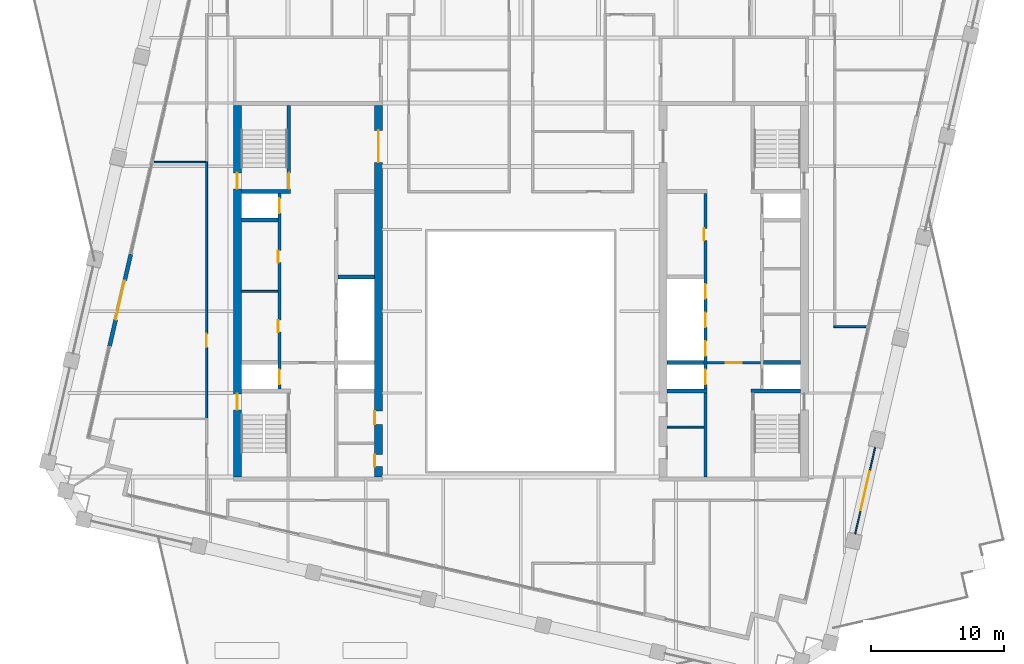
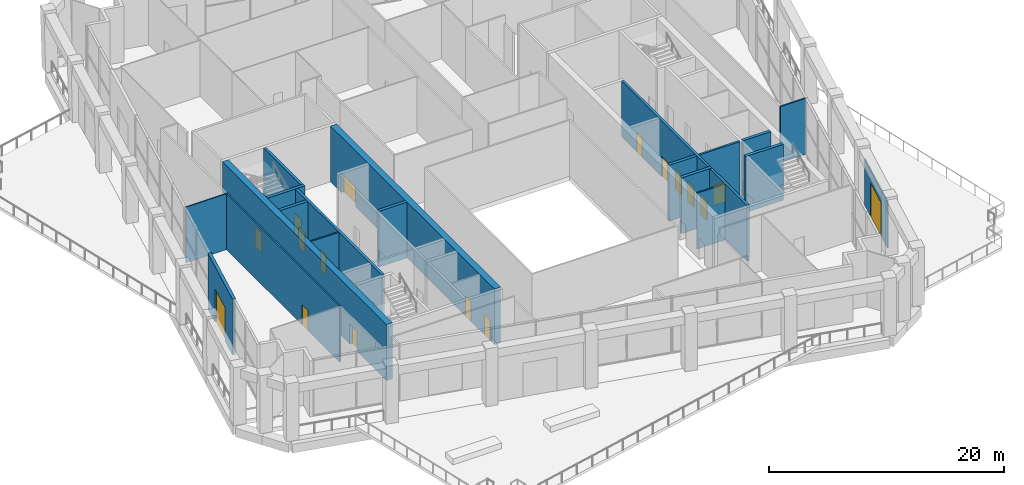
# One storey, part 13 of 21: 20 walls, 19 doors, 19 openings.
"""IFC4 building model written with IfcOpenShell, lengths in metres."""

from ifc_helpers import new_model, si_unit, direction, frame, frame_2d, origin, place, context, subcontext, project, spatial, rectangle, extrude, material, layer, layer_set, type_object, element, fill, save


model = new_model("IFC4")

# Units and contexts
model_context = context("Model", 3, precision=1e-05, world=origin(), true_north=direction((0.0, 1.0)))
body_context = subcontext(model_context, "Body", "Model", "MODEL_VIEW")
ifc_project = project(units=[si_unit("LENGTHUNIT", "METRE"), si_unit("AREAUNIT", "SQUARE_METRE"), si_unit("VOLUMEUNIT", "CUBIC_METRE"), si_unit("PLANEANGLEUNIT", "RADIAN"), si_unit("MASSUNIT", "GRAM", prefix="KILO")], contexts=[model_context])

# Site, building, storey
site_placement = place(None, origin())
site = spatial("IfcSite", under=ifc_project, at=site_placement, CompositionType="ELEMENT")
building_placement = place(site_placement, origin())
building = spatial("IfcBuilding", under=site, at=building_placement, Name="Ogive Exchange Tower", CompositionType="ELEMENT")
storey_placement = place(building_placement, frame((0.0, 0.0, 237.0)))
storey = spatial("IfcBuildingStorey", under=building, at=storey_placement, Name="L51", CompositionType="ELEMENT", Elevation=237.0)

# Walls
ifc_material_1 = material(Name="Gypsum board partition")
ifc_layer_1 = layer(ifc_material_1, 0.14990234375)
ifc_layer_set_1 = layer_set([ifc_layer_1], Name="Core room partition 150 gypsum")
wall_type_1 = type_object("IfcWallType", Name="Core room partition 150 gypsum", PredefinedType="PARTITIONING", material=ifc_layer_set_1)
for number, where, z_axis, x_axis, name in (
    (1, (-21.0, 11.5, 0.0), (0.0, 0.0, 1.0), (1.0, 0.0, 0.0), "W row A bay partition 1-1"),
    (2, (11.0, 1.300048828125, 0.0), (0.0, 0.0, 1.0), (1.0, 0.0, 0.0), "E south room partition"),
):
    element("IfcWall", number, at=place(storey_placement, frame(where, z_axis=z_axis, x_axis=x_axis)), inside=storey, type_object=wall_type_1, Name=name, PredefinedType="PARTITIONING", context=body_context, shape_type="SweptSolid", body=[
        extrude(rectangle(XDim=2.75, YDim=0.14990234375, at=frame_2d((1.375, 0.0))), origin(), (0.0, 0.0, 1.0), 5.800048828125),
    ])

# Wall, opening, door
ifc_material_2 = material(Name="Fire partition EI 60 150")
ifc_layer_2 = layer(ifc_material_2, 0.14990234375)
ifc_layer_set_2 = layer_set([ifc_layer_2], Name="Fire partition EI 60 150")
wall_type_2 = type_object("IfcWallType", Name="Fire partition EI 60 150", PredefinedType="PARTITIONING", material=ifc_layer_set_2)
wall_1_placement = place(storey_placement, frame((-23.60009765625, 1.929931640625, 0.0), z_axis=(0.0, 0.0, 1.0), x_axis=(0.0, 1.0, 0.0)))
wall_1 = element("IfcWall", 3, at=wall_1_placement, inside=storey, type_object=wall_type_2, Name="L51-PWL-004", PredefinedType="PARTITIONING", context=body_context, shape_type="SweptSolid", body=[
    extrude(rectangle(XDim=19.330078125, YDim=0.14990234375, at=frame_2d((9.6650390625, 0.0))), origin(), (0.0, 0.0, 1.0), 5.800048828125),
])
opening_1_placement = place(wall_1_placement, frame((5.3798828125, 0.0, 0.0)))
opening_1 = element("IfcOpeningElement", 4, at=opening_1_placement, cuts=wall_1, Name="Opening L51-I10", PredefinedType="OPENING", context=body_context, shape_type="SweptSolid", body=[
    extrude(rectangle(XDim=1.0, YDim=2.10009765625, at=frame_2d((0.5, 1.050048828125))), frame((0.0, 0.0849609375, 0.0), z_axis=(0.0, -1.0, 0.0), x_axis=(1.0, 0.0, 0.0)), (0.0, 0.0, 1.0), 0.169921875),
])
ifc_material_3 = material(Name="Fire door FD 30S 1000 x 2100")
door_type_1 = type_object("IfcDoorType", Name="Fire door FD 30S 1000 x 2100", OperationType="NOTDEFINED", PredefinedType="DOOR", material=ifc_material_3)
door_1_placement = place(opening_1_placement, origin())
door_1 = element("IfcDoor", 5, at=door_1_placement, inside=storey, type_object=door_type_1, Name="L51-IDR-010", ObjectType="DT3", OperationType="SINGLE_SWING_LEFT", OverallHeight=2.10009765625, OverallWidth=1.0, PredefinedType="DOOR", context=body_context, shape_type="SweptSolid", body=[
    extrude(rectangle(XDim=1.0, YDim=2.10009765625, at=frame_2d((0.5, 1.050048828125))), frame((0.0, 0.02490234375, 0.0), z_axis=(0.0, -1.0, 0.0), x_axis=(1.0, 0.0, 0.0)), (0.0, 0.0, 1.0), 0.050048828125),
])
fill(opening_1, door_1)

# Wall
wall_2_placement = place(storey_placement, frame((23.52490234375, 8.860107421875, 0.0), z_axis=(0.0, 0.0, 1.0), x_axis=(1.0, 0.0, 0.0)))
element("IfcWall", 6, at=wall_2_placement, inside=storey, type_object=wall_type_2, Name="L51-PWL-066", PredefinedType="PARTITIONING", context=body_context, shape_type="SweptSolid", body=[
    extrude(rectangle(XDim=2.504150390625, YDim=0.14990234375, at=frame_2d((1.251953125, 0.0))), origin(), (0.0, 0.0, 1.0), 5.800048828125),
])

# Wall, opening, door
ifc_material_4 = material(Name="Precast concrete C40/50", Category="concrete")
ifc_layer_3 = layer(ifc_material_4, 0.300048828125)
ifc_layer_set_3 = layer_set([ifc_layer_3], Name="Limestone-faced wall 300")
wall_type_3 = type_object("IfcWallType", Name="Limestone-faced wall 300", PredefinedType="STANDARD", material=ifc_layer_set_3)
wall_3_placement = place(storey_placement, frame((-29.293212890625, 14.310791015625, 0.0), z_axis=(0.0, 0.0, 1.0), x_axis=(-0.224949733175, -0.9743703698, 0.0)))
wall_3 = element("IfcWall", 7, at=wall_3_placement, inside=storey, type_object=wall_type_3, Name="External wall W7", PredefinedType="STANDARD", context=body_context, shape_type="SweptSolid", body=[
    extrude(rectangle(XDim=7.1142578125, YDim=0.300048828125, at=frame_2d((3.55712890625, 0.0))), origin(), (0.0, 0.0, 1.0), 5.800048828125),
])
opening_2_placement = place(wall_3_placement, frame((2.05712890625, 0.0, 0.0)))
opening_2 = element("IfcOpeningElement", 8, at=opening_2_placement, cuts=wall_3, Name="Opening D2", PredefinedType="OPENING", context=body_context, shape_type="SweptSolid", body=[
    extrude(rectangle(XDim=3.0, YDim=3.5, at=frame_2d((1.5, 1.75))), frame((0.0, 0.159912109375, 0.0), z_axis=(0.0, -1.0, 0.0), x_axis=(1.0, 0.0, 0.0)), (0.0, 0.0, 1.0), 0.320068359375),
])
ifc_material_5 = material(Name="Clear glass in bronze frame", Category="glass")
door_type_2 = type_object("IfcDoorType", Name="Winter garden sliding door 3000 x 3500", OperationType="DOUBLE_DOOR_SLIDING", PredefinedType="DOOR", material=ifc_material_5)
door_2_placement = place(opening_2_placement, origin())
door_2 = element("IfcDoor", 9, at=door_2_placement, inside=storey, type_object=door_type_2, Name="Loggia door W05", OperationType="DOUBLE_DOOR_SLIDING", OverallHeight=3.5, OverallWidth=3.0, PredefinedType="DOOR", context=body_context, shape_type="SweptSolid", body=[
    extrude(rectangle(XDim=3.0, YDim=3.5, at=frame_2d((1.5, 1.75))), frame((0.0, 0.02490234375, 0.0), z_axis=(0.0, -1.0, 0.0), x_axis=(1.0, 0.0, 0.0)), (0.0, 0.0, 1.0), 0.050048828125),
])
fill(opening_2, door_2)

ifc_material_6 = material(Name="Laminated safety glass in steel frame", Category="steel")
ifc_layer_4 = layer(ifc_material_6, 0.10009765625)
ifc_layer_set_4 = layer_set([ifc_layer_4], Name="Loggia end screen 100")
wall_type_4 = type_object("IfcWallType", Name="Loggia end screen 100", PredefinedType="STANDARD", material=ifc_layer_set_4)
wall_4_placement = place(storey_placement, frame((25.118896484375, -6.72705078125, 0.0), z_axis=(0.0, 0.0, 1.0), x_axis=(0.224969272902, 0.97436585852, 0.0)))
wall_4 = element("IfcWall", 10, at=wall_4_placement, inside=storey, type_object=wall_type_4, Name="Terrace screen E01", PredefinedType="STANDARD", context=body_context, shape_type="SweptSolid", body=[
    extrude(rectangle(XDim=6.659912109375, YDim=0.10009765625, at=frame_2d((3.330078125, 0.0))), origin(), (0.0, 0.0, 1.0), 4.85009765625),
])
opening_3_placement = place(wall_4_placement, frame((1.830078125, 0.0, 0.0)))
opening_3 = element("IfcOpeningElement", 11, at=opening_3_placement, cuts=wall_4, Name="Opening D4", PredefinedType="OPENING", context=body_context, shape_type="SweptSolid", body=[
    extrude(rectangle(XDim=3.0, YDim=3.5, at=frame_2d((1.5, 1.75))), frame((0.0, 0.06005859375, 0.0), z_axis=(0.0, -1.0, 0.0), x_axis=(1.0, 0.0, 0.0)), (0.0, 0.0, 1.0), 0.1201171875),
])
door_type_3 = type_object("IfcDoorType", Name="Terrace sliding door 3000 x 3500", OperationType="DOUBLE_DOOR_SLIDING", PredefinedType="DOOR", material=ifc_material_5)
door_3_placement = place(opening_3_placement, origin())
door_3 = element("IfcDoor", 12, at=door_3_placement, inside=storey, type_object=door_type_3, Name="Terrace door E01", OperationType="DOUBLE_DOOR_SLIDING", OverallHeight=3.5, OverallWidth=3.0, PredefinedType="DOOR", context=body_context, shape_type="SweptSolid", body=[
    extrude(rectangle(XDim=3.0, YDim=3.5, at=frame_2d((1.5, 1.75))), frame((0.0, 0.02490234375, 0.0), z_axis=(0.0, -1.0, 0.0), x_axis=(1.0, 0.0, 0.0)), (0.0, 0.0, 1.0), 0.050048828125),
])
fill(opening_3, door_3)

# Wall
ifc_material_7 = material(Name="Partition 100 gypsum")
ifc_layer_5 = layer(ifc_material_7, 0.10009765625)
ifc_layer_set_5 = layer_set([ifc_layer_5], Name="Partition 100 gypsum")
wall_type_5 = type_object("IfcWallType", Name="Partition 100 gypsum", PredefinedType="PARTITIONING", material=ifc_layer_set_5)
wall_5_placement = place(storey_placement, frame((-23.675048828125, 21.2099609375, 0.0), z_axis=(0.0, 0.0, 1.0), x_axis=(-1.0, 0.0, 0.0)))
element("IfcWall", 13, at=wall_5_placement, inside=storey, type_object=wall_type_5, Name="L51-PWL-005", PredefinedType="PARTITIONING", context=body_context, shape_type="SweptSolid", body=[
    extrude(rectangle(XDim=3.953857421875, YDim=0.10009765625, at=frame_2d((1.97705078125, 0.0))), origin(), (0.0, 0.0, 1.0), 5.800048828125),
])

# Wall, opening, door
ifc_material_8 = material(Name="Concrete C70/85", Category="concrete")
ifc_layer_6 = layer(ifc_material_8, 0.199951171875)
ifc_layer_set_6 = layer_set([ifc_layer_6], Name="RC core wall 200 C70/85")
wall_type_6 = type_object("IfcWallType", Name="RC core wall 200 C70/85", PredefinedType="SHEAR", material=ifc_layer_set_6)
wall_6_placement = place(storey_placement, frame((14.0, 6.142822265625, 0.0), z_axis=(0.0, 0.0, 1.0), x_axis=(1.0, 0.0, 0.0)))
wall_6 = element("IfcWall", 14, at=wall_6_placement, inside=storey, type_object=wall_type_6, Name="E firefighting lobby wall", PredefinedType="SHEAR", context=body_context, shape_type="SweptSolid", body=[
    extrude(rectangle(XDim=4.0, YDim=0.199951171875, at=frame_2d((2.0, 0.0))), origin(), (0.0, 0.0, 1.0), 5.800048828125),
])
opening_4_placement = place(wall_6_placement, frame((1.39990234375, 0.0, 0.0)))
opening_4 = element("IfcOpeningElement", 15, at=opening_4_placement, cuts=wall_6, Name="Opening L51-C29", PredefinedType="OPENING", context=body_context, shape_type="SweptSolid", body=[
    extrude(rectangle(XDim=1.199951171875, YDim=2.10009765625, at=frame_2d((0.60009765625, 1.050048828125))), frame((0.0, 0.10986328125, 0.0), z_axis=(0.0, -1.0, 0.0), x_axis=(1.0, 0.0, 0.0)), (0.0, 0.0, 1.0), 0.219970703125),
])
ifc_material_9 = material(Name="Steel fire door", Category="steel")
door_type_4 = type_object("IfcDoorType", Name="Firefighting lobby door FD60 1200 x 2100", OperationType="NOTDEFINED", PredefinedType="DOOR", material=ifc_material_9)
door_4_placement = place(opening_4_placement, frame((1.199951171875, 0.0, 0.0), z_axis=(0.0, 0.0, 1.0), x_axis=(-1.0, 0.0, 0.0)))
door_4 = element("IfcDoor", 16, at=door_4_placement, inside=storey, type_object=door_type_4, Name="Firefighting lobby door", ObjectType="CD3", OperationType="SINGLE_SWING_LEFT", OverallHeight=2.10009765625, OverallWidth=1.199951171875, PredefinedType="DOOR", context=body_context, shape_type="SweptSolid", body=[
    extrude(rectangle(XDim=1.199951171875, YDim=2.10009765625, at=frame_2d((0.60009765625, 1.050048828125))), frame((0.0, 0.02490234375, 0.0), z_axis=(0.0, -1.0, 0.0), x_axis=(1.0, 0.0, 0.0)), (0.0, 0.0, 1.0), 0.050048828125),
])
fill(opening_4, door_4)

ifc_layer_7 = layer(ifc_material_8, 0.25)
ifc_layer_set_7 = layer_set([ifc_layer_7], Name="RC core wall 250 C70/85")
wall_type_7 = type_object("IfcWallType", Name="RC core wall 250 C70/85", PredefinedType="SHEAR", material=ifc_layer_set_7)
wall_7_placement = place(storey_placement, frame((-17.425048828125, 19.14990234375, 0.0), z_axis=(0.0, 0.0, 1.0), x_axis=(0.0, 1.0, 0.0)))
wall_7 = element("IfcWall", 17, at=wall_7_placement, inside=storey, type_object=wall_type_7, Name="W stair N front wall", PredefinedType="SHEAR", context=body_context, shape_type="SweptSolid", body=[
    extrude(rectangle(XDim=6.300048828125, YDim=0.25, at=frame_2d((3.14990234375, 0.0))), origin(), (0.0, 0.0, 1.0), 5.800048828125),
])
opening_5_placement = place(wall_7_placement, frame((0.050048828125, 0.0, 0.0)))
opening_5 = element("IfcOpeningElement", 18, at=opening_5_placement, cuts=wall_7, Name="Opening L51-C14", PredefinedType="OPENING", context=body_context, shape_type="SweptSolid", body=[
    extrude(rectangle(XDim=1.199951171875, YDim=2.10009765625, at=frame_2d((0.60009765625, 1.050048828125))), frame((0.0, 0.135009765625, 0.0), z_axis=(0.0, -1.0, 0.0), x_axis=(1.0, 0.0, 0.0)), (0.0, 0.0, 1.0), 0.27001953125),
])
door_type_5 = type_object("IfcDoorType", Name="Stair door FD90 1200 x 2100", OperationType="NOTDEFINED", PredefinedType="DOOR", material=ifc_material_9)
door_5_placement = place(opening_5_placement, origin())
door_5 = element("IfcDoor", 19, at=door_5_placement, inside=storey, type_object=door_type_5, Name="Stair door", ObjectType="CD5", OperationType="SINGLE_SWING_RIGHT", OverallHeight=2.10009765625, OverallWidth=1.199951171875, PredefinedType="DOOR", context=body_context, shape_type="SweptSolid", body=[
    extrude(rectangle(XDim=1.199951171875, YDim=2.10009765625, at=frame_2d((0.60009765625, 1.050048828125))), frame((0.0, 0.02490234375, 0.0), z_axis=(0.0, -1.0, 0.0), x_axis=(1.0, 0.0, 0.0)), (0.0, 0.0, 1.0), 0.050048828125),
])
fill(opening_5, door_5)

# Wall, openings, doors
wall_8_placement = place(storey_placement, frame((-18.125, 4.14990234375, 0.0), z_axis=(0.0, 0.0, 1.0), x_axis=(0.0, 1.0, 0.0)))
wall_8 = element("IfcWall", 20, at=wall_8_placement, inside=storey, type_object=wall_type_7, Name="W row A front wall", PredefinedType="SHEAR", context=body_context, shape_type="SweptSolid", body=[
    extrude(rectangle(XDim=14.7001953125, YDim=0.25, at=frame_2d((7.35009765625, 0.0))), origin(), (0.0, 0.0, 1.0), 5.800048828125),
])
opening_6_placement = place(wall_8_placement, frame((4.29638671875, 0.0, 0.0)))
opening_6 = element("IfcOpeningElement", 21, at=opening_6_placement, cuts=wall_8, Name="Opening L51-C01", PredefinedType="OPENING", context=body_context, shape_type="SweptSolid", body=[
    extrude(rectangle(XDim=0.89990234375, YDim=2.10009765625, at=frame_2d((0.449951171875, 1.050048828125))), frame((0.0, 0.135009765625, 0.0), z_axis=(0.0, -1.0, 0.0), x_axis=(1.0, 0.0, 0.0)), (0.0, 0.0, 1.0), 0.27001953125),
])
opening_7_placement = place(wall_8_placement, frame((9.503662109375, 0.0, 0.0)))
opening_7 = element("IfcOpeningElement", 22, at=opening_7_placement, cuts=wall_8, Name="Opening L51-C02", PredefinedType="OPENING", context=body_context, shape_type="SweptSolid", body=[
    extrude(rectangle(XDim=0.89990234375, YDim=2.10009765625, at=frame_2d((0.449951171875, 1.050048828125))), frame((0.0, 0.135009765625, 0.0), z_axis=(0.0, -1.0, 0.0), x_axis=(1.0, 0.0, 0.0)), (0.0, 0.0, 1.0), 0.27001953125),
])
opening_8_placement = place(wall_8_placement, frame((0.371337890625, 0.0, 0.0)))
opening_8 = element("IfcOpeningElement", 23, at=opening_8_placement, cuts=wall_8, Name="Opening L51-C03", PredefinedType="OPENING", context=body_context, shape_type="SweptSolid", body=[
    extrude(rectangle(XDim=1.10009765625, YDim=2.10009765625, at=frame_2d((0.550048828125, 1.050048828125))), frame((0.0, 0.135009765625, 0.0), z_axis=(0.0, -1.0, 0.0), x_axis=(1.0, 0.0, 0.0)), (0.0, 0.0, 1.0), 0.27001953125),
])
opening_9_placement = place(wall_8_placement, frame((13.228515625, 0.0, 0.0)))
opening_9 = element("IfcOpeningElement", 24, at=opening_9_placement, cuts=wall_8, Name="Opening L51-C04", PredefinedType="OPENING", context=body_context, shape_type="SweptSolid", body=[
    extrude(rectangle(XDim=1.10009765625, YDim=2.10009765625, at=frame_2d((0.550048828125, 1.050048828125))), frame((0.0, 0.135009765625, 0.0), z_axis=(0.0, -1.0, 0.0), x_axis=(1.0, 0.0, 0.0)), (0.0, 0.0, 1.0), 0.27001953125),
])
ifc_material_10 = material(Name="Stainless steel", Category="steel")
door_type_6 = type_object("IfcDoorType", Name="Lift landing door FD90 1100 x 2100", OperationType="SLIDING_TO_LEFT", PredefinedType="DOOR", material=ifc_material_10)
door_6_placement = place(opening_8_placement, origin())
door_6 = element("IfcDoor", 25, at=door_6_placement, inside=storey, type_object=door_type_6, Name="Lift landing door FF1", ObjectType="LD", OperationType="SLIDING_TO_LEFT", OverallHeight=2.10009765625, OverallWidth=1.10009765625, PredefinedType="DOOR", context=body_context, shape_type="SweptSolid", body=[
    extrude(rectangle(XDim=1.10009765625, YDim=2.10009765625, at=frame_2d((0.550048828125, 1.050048828125))), frame((0.0, 0.02490234375, 0.0), z_axis=(0.0, -1.0, 0.0), x_axis=(1.0, 0.0, 0.0)), (0.0, 0.0, 1.0), 0.050048828125),
])
fill(opening_8, door_6)
door_7_placement = place(opening_9_placement, origin())
door_7 = element("IfcDoor", 26, at=door_7_placement, inside=storey, type_object=door_type_6, Name="Lift landing door W-SH2", ObjectType="LD", OperationType="SLIDING_TO_LEFT", OverallHeight=2.10009765625, OverallWidth=1.10009765625, PredefinedType="DOOR", context=body_context, shape_type="SweptSolid", body=[
    extrude(rectangle(XDim=1.10009765625, YDim=2.10009765625, at=frame_2d((0.550048828125, 1.050048828125))), frame((0.0, 0.02490234375, 0.0), z_axis=(0.0, -1.0, 0.0), x_axis=(1.0, 0.0, 0.0)), (0.0, 0.0, 1.0), 0.050048828125),
])
fill(opening_9, door_7)
door_type_7 = type_object("IfcDoorType", Name="Riser door FD60 900 x 2100", OperationType="NOTDEFINED", PredefinedType="DOOR", material=ifc_material_9)
door_8_placement = place(opening_6_placement, origin())
door_8 = element("IfcDoor", 27, at=door_8_placement, inside=storey, type_object=door_type_7, Name="Riser door", ObjectType="CD2", OperationType="SINGLE_SWING_RIGHT", OverallHeight=2.10009765625, OverallWidth=0.89990234375, PredefinedType="DOOR", context=body_context, shape_type="SweptSolid", body=[
    extrude(rectangle(XDim=0.89990234375, YDim=2.10009765625, at=frame_2d((0.449951171875, 1.050048828125))), frame((0.0, 0.125, 0.0), z_axis=(0.0, -1.0, 0.0), x_axis=(1.0, 0.0, 0.0)), (0.0, 0.0, 1.0), 0.050048828125),
])
fill(opening_6, door_8)
door_9_placement = place(opening_7_placement, origin())
door_9 = element("IfcDoor", 28, at=door_9_placement, inside=storey, type_object=door_type_7, Name="Riser door", ObjectType="CD2", OperationType="SINGLE_SWING_RIGHT", OverallHeight=2.10009765625, OverallWidth=0.89990234375, PredefinedType="DOOR", context=body_context, shape_type="SweptSolid", body=[
    extrude(rectangle(XDim=0.89990234375, YDim=2.10009765625, at=frame_2d((0.449951171875, 1.050048828125))), frame((0.0, 0.125, 0.0), z_axis=(0.0, -1.0, 0.0), x_axis=(1.0, 0.0, 0.0)), (0.0, 0.0, 1.0), 0.050048828125),
])
fill(opening_7, door_9)

wall_9_placement = place(storey_placement, frame((13.875, -2.449951171875, 0.0), z_axis=(0.0, 0.0, 1.0), x_axis=(0.0, 1.0, 0.0)))
wall_9 = element("IfcWall", 29, at=wall_9_placement, inside=storey, type_object=wall_type_7, Name="E row B front wall", PredefinedType="SHEAR", context=body_context, shape_type="SweptSolid", body=[
    extrude(rectangle(XDim=21.300048828125, YDim=0.25, at=frame_2d((10.64990234375, 0.0))), origin(), (0.0, 0.0, 1.0), 5.800048828125),
])
opening_10_placement = place(wall_9_placement, frame((17.78564453125, 0.0, 0.0)))
opening_10 = element("IfcOpeningElement", 30, at=opening_10_placement, cuts=wall_9, Name="Opening L51-C24", PredefinedType="OPENING", context=body_context, shape_type="SweptSolid", body=[
    extrude(rectangle(XDim=0.89990234375, YDim=2.10009765625, at=frame_2d((0.449951171875, 1.050048828125))), frame((0.0, 0.135009765625, 0.0), z_axis=(0.0, -1.0, 0.0), x_axis=(1.0, 0.0, 0.0)), (0.0, 0.0, 1.0), 0.27001953125),
])
opening_11_placement = place(wall_9_placement, frame((6.971435546875, 0.0, 0.0)))
opening_11 = element("IfcOpeningElement", 31, at=opening_11_placement, cuts=wall_9, Name="Opening L51-C25", PredefinedType="OPENING", context=body_context, shape_type="SweptSolid", body=[
    extrude(rectangle(XDim=1.10009765625, YDim=2.10009765625, at=frame_2d((0.550048828125, 1.050048828125))), frame((0.0, 0.135009765625, 0.0), z_axis=(0.0, -1.0, 0.0), x_axis=(1.0, 0.0, 0.0)), (0.0, 0.0, 1.0), 0.27001953125),
])
opening_12_placement = place(wall_9_placement, frame((9.1142578125, 0.0, 0.0)))
opening_12 = element("IfcOpeningElement", 32, at=opening_12_placement, cuts=wall_9, Name="Opening L51-C26", PredefinedType="OPENING", context=body_context, shape_type="SweptSolid", body=[
    extrude(rectangle(XDim=1.10009765625, YDim=2.10009765625, at=frame_2d((0.550048828125, 1.050048828125))), frame((0.0, 0.135009765625, 0.0), z_axis=(0.0, -1.0, 0.0), x_axis=(1.0, 0.0, 0.0)), (0.0, 0.0, 1.0), 0.27001953125),
])
opening_13_placement = place(wall_9_placement, frame((11.257080078125, 0.0, 0.0)))
opening_13 = element("IfcOpeningElement", 33, at=opening_13_placement, cuts=wall_9, Name="Opening L51-C27", PredefinedType="OPENING", context=body_context, shape_type="SweptSolid", body=[
    extrude(rectangle(XDim=1.10009765625, YDim=2.10009765625, at=frame_2d((0.550048828125, 1.050048828125))), frame((0.0, 0.135009765625, 0.0), z_axis=(0.0, -1.0, 0.0), x_axis=(1.0, 0.0, 0.0)), (0.0, 0.0, 1.0), 0.27001953125),
])
opening_14_placement = place(wall_9_placement, frame((13.39990234375, 0.0, 0.0)))
opening_14 = element("IfcOpeningElement", 34, at=opening_14_placement, cuts=wall_9, Name="Opening L51-C28", PredefinedType="OPENING", context=body_context, shape_type="SweptSolid", body=[
    extrude(rectangle(XDim=1.10009765625, YDim=2.10009765625, at=frame_2d((0.550048828125, 1.050048828125))), frame((0.0, 0.135009765625, 0.0), z_axis=(0.0, -1.0, 0.0), x_axis=(1.0, 0.0, 0.0)), (0.0, 0.0, 1.0), 0.27001953125),
])
door_10_placement = place(opening_11_placement, origin())
door_10 = element("IfcDoor", 35, at=door_10_placement, inside=storey, type_object=door_type_6, Name="Lift landing door SV2", ObjectType="LD", OperationType="SLIDING_TO_LEFT", OverallHeight=2.10009765625, OverallWidth=1.10009765625, PredefinedType="DOOR", context=body_context, shape_type="SweptSolid", body=[
    extrude(rectangle(XDim=1.10009765625, YDim=2.10009765625, at=frame_2d((0.550048828125, 1.050048828125))), frame((0.0, 0.02490234375, 0.0), z_axis=(0.0, -1.0, 0.0), x_axis=(1.0, 0.0, 0.0)), (0.0, 0.0, 1.0), 0.050048828125),
])
fill(opening_11, door_10)
door_11_placement = place(opening_12_placement, origin())
door_11 = element("IfcDoor", 36, at=door_11_placement, inside=storey, type_object=door_type_6, Name="Lift landing door E-M1", ObjectType="LD", OperationType="SLIDING_TO_LEFT", OverallHeight=2.10009765625, OverallWidth=1.10009765625, PredefinedType="DOOR", context=body_context, shape_type="SweptSolid", body=[
    extrude(rectangle(XDim=1.10009765625, YDim=2.10009765625, at=frame_2d((0.550048828125, 1.050048828125))), frame((0.0, 0.02490234375, 0.0), z_axis=(0.0, -1.0, 0.0), x_axis=(1.0, 0.0, 0.0)), (0.0, 0.0, 1.0), 0.050048828125),
])
fill(opening_12, door_11)
door_12_placement = place(opening_13_placement, origin())
door_12 = element("IfcDoor", 37, at=door_12_placement, inside=storey, type_object=door_type_6, Name="Lift landing door E-M2", ObjectType="LD", OperationType="SLIDING_TO_LEFT", OverallHeight=2.10009765625, OverallWidth=1.10009765625, PredefinedType="DOOR", context=body_context, shape_type="SweptSolid", body=[
    extrude(rectangle(XDim=1.10009765625, YDim=2.10009765625, at=frame_2d((0.550048828125, 1.050048828125))), frame((0.0, 0.02490234375, 0.0), z_axis=(0.0, -1.0, 0.0), x_axis=(1.0, 0.0, 0.0)), (0.0, 0.0, 1.0), 0.050048828125),
])
fill(opening_13, door_12)
door_13_placement = place(opening_14_placement, origin())
door_13 = element("IfcDoor", 38, at=door_13_placement, inside=storey, type_object=door_type_6, Name="Lift landing door E-M3", ObjectType="LD", OperationType="SLIDING_TO_LEFT", OverallHeight=2.10009765625, OverallWidth=1.10009765625, PredefinedType="DOOR", context=body_context, shape_type="SweptSolid", body=[
    extrude(rectangle(XDim=1.10009765625, YDim=2.10009765625, at=frame_2d((0.550048828125, 1.050048828125))), frame((0.0, 0.02490234375, 0.0), z_axis=(0.0, -1.0, 0.0), x_axis=(1.0, 0.0, 0.0)), (0.0, 0.0, 1.0), 0.050048828125),
])
fill(opening_14, door_13)
door_14_placement = place(opening_10_placement, origin())
door_14 = element("IfcDoor", 39, at=door_14_placement, inside=storey, type_object=door_type_7, Name="Riser door", ObjectType="CD2", OperationType="SINGLE_SWING_LEFT", OverallHeight=2.10009765625, OverallWidth=0.89990234375, PredefinedType="DOOR", context=body_context, shape_type="SweptSolid", body=[
    extrude(rectangle(XDim=0.89990234375, YDim=2.10009765625, at=frame_2d((0.449951171875, 1.050048828125))), frame((0.0, 0.125, 0.0), z_axis=(0.0, -1.0, 0.0), x_axis=(1.0, 0.0, 0.0)), (0.0, 0.0, 1.0), 0.050048828125),
])
fill(opening_10, door_14)

# Walls
ifc_layer_8 = layer(ifc_material_8, 0.300048828125)
ifc_layer_set_8 = layer_set([ifc_layer_8], Name="RC core wall 300 C70/85")
wall_type_8 = type_object("IfcWallType", Name="RC core wall 300 C70/85", PredefinedType="SHEAR", material=ifc_layer_set_8)
wall_10_placement = place(storey_placement, frame((-21.0, 19.0, 0.0), z_axis=(0.0, 0.0, 1.0), x_axis=(1.0, 0.0, 0.0)))
element("IfcWall", 40, at=wall_10_placement, inside=storey, type_object=wall_type_8, Name="W stair N south wall", PredefinedType="SHEAR", context=body_context, shape_type="SweptSolid", body=[
    extrude(rectangle(XDim=3.699951171875, YDim=0.300048828125, at=frame_2d((1.85009765625, 0.0))), origin(), (0.0, 0.0, 1.0), 5.800048828125),
])
for number, where, z_axis, x_axis, name in (
    (41, (-21.0, 16.857177734375, 0.0), (0.0, 0.0, 1.0), (1.0, 0.0, 0.0), "W row A divider 6"),
    (42, (-13.75, 12.5712890625, 0.0), (0.0, 0.0, 1.0), (1.0, 0.0, 0.0), "W row B divider 4"),
):
    element("IfcWall", number, at=place(storey_placement, frame(where, z_axis=z_axis, x_axis=x_axis)), inside=storey, type_object=wall_type_8, Name=name, PredefinedType="SHEAR", context=body_context, shape_type="SweptSolid", body=[
        extrude(rectangle(XDim=2.75, YDim=0.300048828125, at=frame_2d((1.375, 0.0))), origin(), (0.0, 0.0, 1.0), 5.800048828125),
    ])
wall_11_placement = place(storey_placement, frame((17.300048828125, 4.0, 0.0), z_axis=(0.0, 0.0, 1.0), x_axis=(1.0, 0.0, 0.0)))
element("IfcWall", 43, at=wall_11_placement, inside=storey, type_object=wall_type_8, Name="E stair S north wall", PredefinedType="SHEAR", context=body_context, shape_type="SweptSolid", body=[
    extrude(rectangle(XDim=3.699951171875, YDim=0.300048828125, at=frame_2d((1.85009765625, 0.0))), origin(), (0.0, 0.0, 1.0), 5.800048828125),
])
wall_12_placement = place(storey_placement, frame((18.25, 6.142822265625, 0.0), z_axis=(0.0, 0.0, 1.0), x_axis=(1.0, 0.0, 0.0)))
element("IfcWall", 44, at=wall_12_placement, inside=storey, type_object=wall_type_8, Name="E row A divider 1", PredefinedType="SHEAR", context=body_context, shape_type="SweptSolid", body=[
    extrude(rectangle(XDim=2.75, YDim=0.300048828125, at=frame_2d((1.375, 0.0))), origin(), (0.0, 0.0, 1.0), 5.800048828125),
])
wall_13_placement = place(storey_placement, frame((11.0, 4.0, 0.0), z_axis=(0.0, 0.0, 1.0), x_axis=(1.0, 0.0, 0.0)))
element("IfcWall", 45, at=wall_13_placement, inside=storey, type_object=wall_type_8, Name="E row B divider 0", PredefinedType="SHEAR", context=body_context, shape_type="SweptSolid", body=[
    extrude(rectangle(XDim=3.0, YDim=0.300048828125, at=frame_2d((1.5, 0.0))), origin(), (0.0, 0.0, 1.0), 5.800048828125),
])
wall_14_placement = place(storey_placement, frame((11.0, 6.142822265625, 0.0), z_axis=(0.0, 0.0, 1.0), x_axis=(1.0, 0.0, 0.0)))
element("IfcWall", 46, at=wall_14_placement, inside=storey, type_object=wall_type_8, Name="E row B divider 1", PredefinedType="SHEAR", context=body_context, shape_type="SweptSolid", body=[
    extrude(rectangle(XDim=2.75, YDim=0.300048828125, at=frame_2d((1.375, 0.0))), origin(), (0.0, 0.0, 1.0), 5.800048828125),
])

# Wall, openings, doors
ifc_layer_9 = layer(ifc_material_8, 0.60009765625)
ifc_layer_set_9 = layer_set([ifc_layer_9], Name="RC core wall 600 C70/85")
wall_type_9 = type_object("IfcWallType", Name="RC core wall 600 C70/85", PredefinedType="SHEAR", material=ifc_layer_set_9)
wall_15_placement = place(storey_placement, frame((-21.300048828125, -2.449951171875, 0.0), z_axis=(0.0, 0.0, 1.0), x_axis=(0.0, 1.0, 0.0)))
wall_15 = element("IfcWall", 47, at=wall_15_placement, inside=storey, type_object=wall_type_9, Name="W outer wall", PredefinedType="SHEAR", context=body_context, shape_type="SweptSolid", body=[
    extrude(rectangle(XDim=27.89990234375, YDim=0.60009765625, at=frame_2d((13.949951171875, 0.0))), origin(), (0.0, 0.0, 1.0), 5.800048828125),
])
opening_15_placement = place(wall_15_placement, frame((5.050048828125, 0.0, 0.0)))
opening_15 = element("IfcOpeningElement", 48, at=opening_15_placement, cuts=wall_15, Name="Opening L51-C13", PredefinedType="OPENING", context=body_context, shape_type="SweptSolid", body=[
    extrude(rectangle(XDim=1.199951171875, YDim=2.10009765625, at=frame_2d((0.60009765625, 1.050048828125))), frame((0.0, 0.31005859375, 0.0), z_axis=(0.0, -1.0, 0.0), x_axis=(1.0, 0.0, 0.0)), (0.0, 0.0, 1.0), 0.6201171875),
])
opening_16_placement = place(wall_15_placement, frame((21.64990234375, 0.0, 0.0)))
opening_16 = element("IfcOpeningElement", 49, at=opening_16_placement, cuts=wall_15, Name="Opening L51-C15", PredefinedType="OPENING", context=body_context, shape_type="SweptSolid", body=[
    extrude(rectangle(XDim=1.199951171875, YDim=2.10009765625, at=frame_2d((0.60009765625, 1.050048828125))), frame((0.0, 0.31005859375, 0.0), z_axis=(0.0, -1.0, 0.0), x_axis=(1.0, 0.0, 0.0)), (0.0, 0.0, 1.0), 0.6201171875),
])
door_15_placement = place(opening_15_placement, origin())
door_15 = element("IfcDoor", 50, at=door_15_placement, inside=storey, type_object=door_type_5, Name="Stair door", ObjectType="CD5", OperationType="SINGLE_SWING_LEFT", OverallHeight=2.10009765625, OverallWidth=1.199951171875, PredefinedType="DOOR", context=body_context, shape_type="SweptSolid", body=[
    extrude(rectangle(XDim=1.199951171875, YDim=2.10009765625, at=frame_2d((0.60009765625, 1.050048828125))), frame((0.0, 0.02490234375, 0.0), z_axis=(0.0, -1.0, 0.0), x_axis=(1.0, 0.0, 0.0)), (0.0, 0.0, 1.0), 0.050048828125),
])
fill(opening_15, door_15)
door_16_placement = place(opening_16_placement, origin())
door_16 = element("IfcDoor", 51, at=door_16_placement, inside=storey, type_object=door_type_5, Name="Stair door", ObjectType="CD5", OperationType="SINGLE_SWING_RIGHT", OverallHeight=2.10009765625, OverallWidth=1.199951171875, PredefinedType="DOOR", context=body_context, shape_type="SweptSolid", body=[
    extrude(rectangle(XDim=1.199951171875, YDim=2.10009765625, at=frame_2d((0.60009765625, 1.050048828125))), frame((0.0, 0.02490234375, 0.0), z_axis=(0.0, -1.0, 0.0), x_axis=(1.0, 0.0, 0.0)), (0.0, 0.0, 1.0), 0.050048828125),
])
fill(opening_16, door_16)

wall_16_placement = place(storey_placement, frame((-10.699951171875, -2.449951171875, 0.0), z_axis=(0.0, 0.0, 1.0), x_axis=(0.0, 1.0, 0.0)))
wall_16 = element("IfcWall", 52, at=wall_16_placement, inside=storey, type_object=wall_type_9, Name="W inner wall", PredefinedType="SHEAR", context=body_context, shape_type="SweptSolid", body=[
    extrude(rectangle(XDim=27.89990234375, YDim=0.60009765625, at=frame_2d((13.949951171875, 0.0))), origin(), (0.0, 0.0, 1.0), 5.800048828125),
])
opening_17_placement = place(wall_16_placement, frame((23.64990234375, 0.0, 0.0)))
opening_17 = element("IfcOpeningElement", 53, at=opening_17_placement, cuts=wall_16, Name="Opening L51-C11", PredefinedType="OPENING", context=body_context, shape_type="SweptSolid", body=[
    extrude(rectangle(XDim=2.39990234375, YDim=2.10009765625, at=frame_2d((1.199951171875, 1.050048828125))), frame((0.0, 0.31005859375, 0.0), z_axis=(0.0, -1.0, 0.0), x_axis=(1.0, 0.0, 0.0)), (0.0, 0.0, 1.0), 0.6201171875),
])
opening_18_placement = place(wall_16_placement, frame((0.78759765625, 0.0, 0.0)))
opening_18 = element("IfcOpeningElement", 54, at=opening_18_placement, cuts=wall_16, Name="Opening L51-C16", PredefinedType="OPENING", context=body_context, shape_type="SweptSolid", body=[
    extrude(rectangle(XDim=0.89990234375, YDim=2.10009765625, at=frame_2d((0.449951171875, 1.050048828125))), frame((0.0, 0.31005859375, 0.0), z_axis=(0.0, -1.0, 0.0), x_axis=(1.0, 0.0, 0.0)), (0.0, 0.0, 1.0), 0.6201171875),
])
opening_19_placement = place(wall_16_placement, frame((3.96240234375, 0.0, 0.0)))
opening_19 = element("IfcOpeningElement", 55, at=opening_19_placement, cuts=wall_16, Name="Opening L51-C17", PredefinedType="OPENING", context=body_context, shape_type="SweptSolid", body=[
    extrude(rectangle(XDim=1.0, YDim=2.10009765625, at=frame_2d((0.5, 1.050048828125))), frame((0.0, 0.31005859375, 0.0), z_axis=(0.0, -1.0, 0.0), x_axis=(1.0, 0.0, 0.0)), (0.0, 0.0, 1.0), 0.6201171875),
])
ifc_material_11 = material(Name="Timber fire door", Category="wood")
door_type_8 = type_object("IfcDoorType", Name="Accessible WC door FD30S 1000 x 2100", OperationType="NOTDEFINED", PredefinedType="DOOR", material=ifc_material_11)
door_17_placement = place(opening_19_placement, frame((1.0, 0.5498046875, 0.0), z_axis=(0.0, 0.0, 1.0), x_axis=(-1.0, 0.0, 0.0)))
door_17 = element("IfcDoor", 56, at=door_17_placement, inside=storey, type_object=door_type_8, Name="Accessible WC door", ObjectType="CD7", OperationType="SINGLE_SWING_LEFT", OverallHeight=2.10009765625, OverallWidth=1.0, PredefinedType="DOOR", context=body_context, shape_type="SweptSolid", body=[
    extrude(rectangle(XDim=1.0, YDim=2.10009765625, at=frame_2d((0.5, 1.050048828125))), frame((0.0, 0.2998046875, 0.0), z_axis=(0.0, -1.0, 0.0), x_axis=(1.0, 0.0, 0.0)), (0.0, 0.0, 1.0), 0.050048828125),
])
fill(opening_19, door_17)
door_type_9 = type_object("IfcDoorType", Name="Core room door FD30S 900 x 2100", OperationType="NOTDEFINED", PredefinedType="DOOR", material=ifc_material_11)
door_18_placement = place(opening_18_placement, frame((0.89990234375, 0.5498046875, 0.0), z_axis=(0.0, 0.0, 1.0), x_axis=(-1.0, 0.0, 0.0)))
door_18 = element("IfcDoor", 57, at=door_18_placement, inside=storey, type_object=door_type_9, Name="Core room door", ObjectType="CD6", OperationType="SINGLE_SWING_LEFT", OverallHeight=2.10009765625, OverallWidth=0.89990234375, PredefinedType="DOOR", context=body_context, shape_type="SweptSolid", body=[
    extrude(rectangle(XDim=0.89990234375, YDim=2.10009765625, at=frame_2d((0.449951171875, 1.050048828125))), frame((0.0, 0.2998046875, 0.0), z_axis=(0.0, -1.0, 0.0), x_axis=(1.0, 0.0, 0.0)), (0.0, 0.0, 1.0), 0.050048828125),
])
fill(opening_18, door_18)
ifc_material_12 = material(Name="Glazed steel fire door", Category="steel")
door_type_10 = type_object("IfcDoorType", Name="Lift lobby double door FD60 2400 x 2100", OperationType="DOUBLE_DOOR_SINGLE_SWING", PredefinedType="DOOR", material=ifc_material_12)
door_19_placement = place(opening_17_placement, frame((2.39990234375, 0.0, 0.0), z_axis=(0.0, 0.0, 1.0), x_axis=(-1.0, 0.0, 0.0)))
door_19 = element("IfcDoor", 58, at=door_19_placement, inside=storey, type_object=door_type_10, Name="Lift lobby double door", ObjectType="CD4", OperationType="DOUBLE_DOOR_SINGLE_SWING", OverallHeight=2.10009765625, OverallWidth=2.39990234375, PredefinedType="DOOR", context=body_context, shape_type="SweptSolid", body=[
    extrude(rectangle(XDim=2.39990234375, YDim=2.10009765625, at=frame_2d((1.199951171875, 1.050048828125))), frame((0.0, 0.02490234375, 0.0), z_axis=(0.0, -1.0, 0.0), x_axis=(1.0, 0.0, 0.0)), (0.0, 0.0, 1.0), 0.050048828125),
])
fill(opening_17, door_19)

save(model, "model.ifc")
